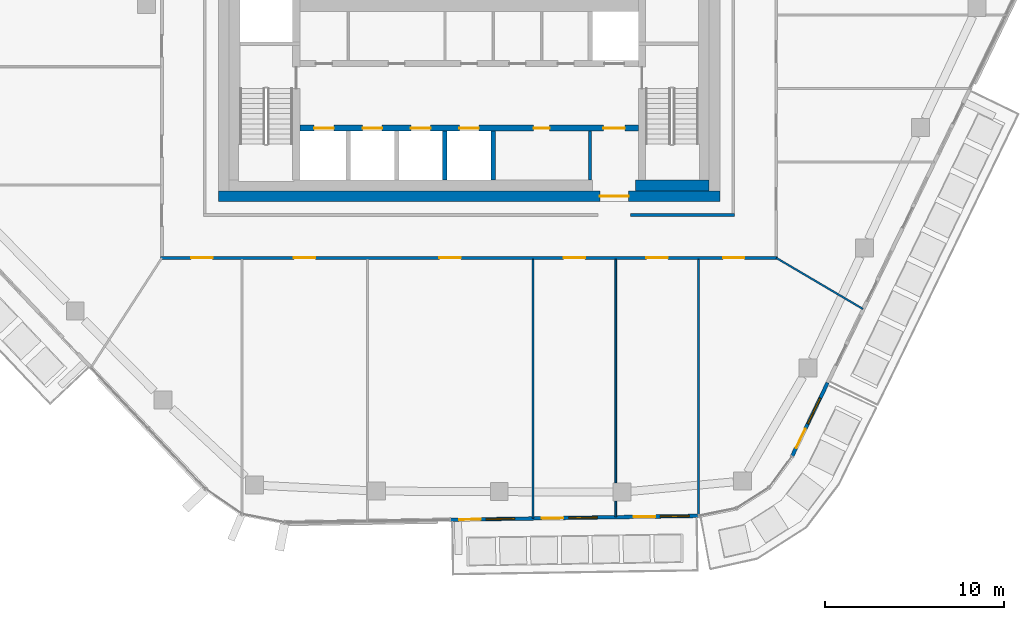
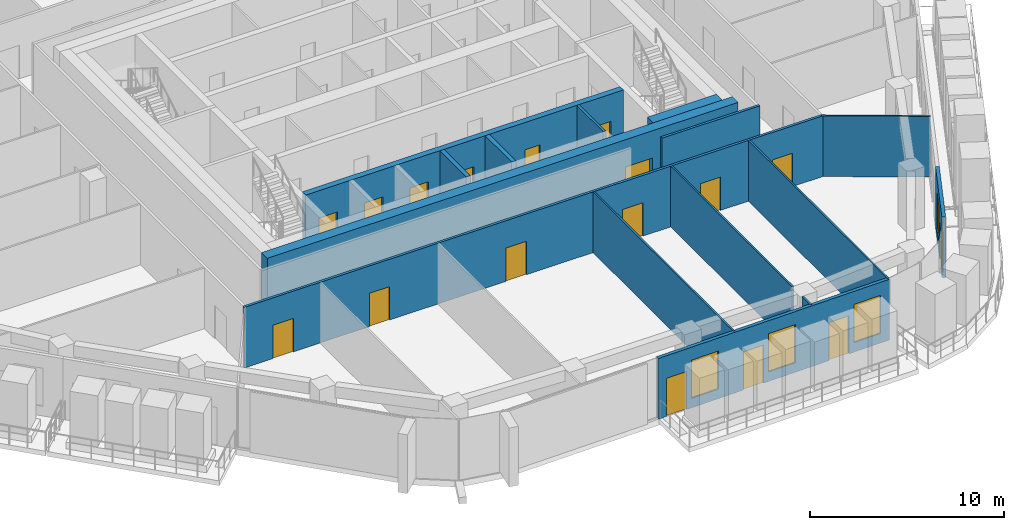
# One storey, part 13 of 24: 17 doors, 15 walls, 4 windows, 21 openings.
"""IFC4 building model written with IfcOpenShell, lengths in metres."""

from ifc_helpers import new_model, si_unit, direction, frame, frame_2d, origin, place, context, subcontext, project, spatial, rectangle, extrude, material, layer, layer_set, type_object, element, fill, save


model = new_model("IFC4")

# Units and contexts
model_context = context("Model", 3, precision=1e-05, world=origin(), true_north=direction((0.0, 1.0)))
body_context = subcontext(model_context, "Body", "Model", "MODEL_VIEW")
ifc_project = project(units=[si_unit("LENGTHUNIT", "METRE"), si_unit("AREAUNIT", "SQUARE_METRE"), si_unit("VOLUMEUNIT", "CUBIC_METRE"), si_unit("PLANEANGLEUNIT", "RADIAN"), si_unit("MASSUNIT", "GRAM", prefix="KILO")], contexts=[model_context])

# Site, building, storey
site_placement = place(None, origin())
site = spatial("IfcSite", under=ifc_project, at=site_placement, CompositionType="ELEMENT")
building_placement = place(site_placement, origin())
building = spatial("IfcBuilding", under=site, at=building_placement, Name="Dongbaek Canopy Tower", CompositionType="ELEMENT")
storey_placement = place(building_placement, frame((0.0, 0.0, 302.60009765625)))
storey = spatial("IfcBuildingStorey", under=building, at=storey_placement, Name="L64", CompositionType="ELEMENT", Elevation=302.60009765625)

# Wall, openings, doors
ifc_material_1 = material(Name="Concrete C60/75", Category="concrete")
ifc_layer_1 = layer(ifc_material_1, 0.35009765625)
ifc_layer_set_1 = layer_set([ifc_layer_1], Name="Core lobby wall 350 Concrete C60/75")
wall_type_1 = type_object("IfcWallType", Name="Core lobby wall 350 Concrete C60/75", PredefinedType="SHEAR", material=ifc_layer_set_1)
wall_1_placement = place(storey_placement, frame((9.449951171875, -6.89990234375, 0.0), z_axis=(0.0, 0.0, 1.0), x_axis=(-1.0, 0.0, 0.0)))
wall_1 = element("IfcWall", 1, at=wall_1_placement, inside=storey, type_object=wall_type_1, Name="Core wall", PredefinedType="SHEAR", context=body_context, shape_type="SweptSolid", body=[
    extrude(rectangle(XDim=18.89990234375, YDim=0.35009765625, at=frame_2d((9.449951171875, 0.0))), origin(), (0.0, 0.0, 1.0), 3.81982421875),
])
opening_1_placement = place(wall_1_placement, frame((17.0, 0.0, 0.0)))
opening_1 = element("IfcOpeningElement", 2, at=opening_1_placement, cuts=wall_1, Name="Opening L64-D035", PredefinedType="OPENING", context=body_context, shape_type="SweptSolid", body=[
    extrude(rectangle(XDim=1.10009765625, YDim=2.10009765625, at=frame_2d((0.550048828125, 1.050048828125))), frame((0.0, 0.18505859375, 0.0), z_axis=(0.0, -1.0, 0.0), x_axis=(1.0, 0.0, 0.0)), (0.0, 0.0, 1.0), 0.3701171875),
])
opening_2_placement = place(wall_1_placement, frame((14.300048828125, 0.0, 0.0)))
opening_2 = element("IfcOpeningElement", 3, at=opening_2_placement, cuts=wall_1, Name="Opening L64-D036", PredefinedType="OPENING", context=body_context, shape_type="SweptSolid", body=[
    extrude(rectangle(XDim=1.10009765625, YDim=2.10009765625, at=frame_2d((0.550048828125, 1.050048828125))), frame((0.0, 0.18505859375, 0.0), z_axis=(0.0, -1.0, 0.0), x_axis=(1.0, 0.0, 0.0)), (0.0, 0.0, 1.0), 0.3701171875),
])
opening_3_placement = place(wall_1_placement, frame((11.60009765625, 0.0, 0.0)))
opening_3 = element("IfcOpeningElement", 4, at=opening_3_placement, cuts=wall_1, Name="Opening L64-D037", PredefinedType="OPENING", context=body_context, shape_type="SweptSolid", body=[
    extrude(rectangle(XDim=1.10009765625, YDim=2.10009765625, at=frame_2d((0.550048828125, 1.050048828125))), frame((0.0, 0.18505859375, 0.0), z_axis=(0.0, -1.0, 0.0), x_axis=(1.0, 0.0, 0.0)), (0.0, 0.0, 1.0), 0.3701171875),
])
opening_4_placement = place(wall_1_placement, frame((8.89990234375, 0.0, 0.0)))
opening_4 = element("IfcOpeningElement", 5, at=opening_4_placement, cuts=wall_1, Name="Opening L64-D038", PredefinedType="OPENING", context=body_context, shape_type="SweptSolid", body=[
    extrude(rectangle(XDim=1.10009765625, YDim=2.10009765625, at=frame_2d((0.550048828125, 1.050048828125))), frame((0.0, 0.18505859375, 0.0), z_axis=(0.0, -1.0, 0.0), x_axis=(1.0, 0.0, 0.0)), (0.0, 0.0, 1.0), 0.3701171875),
])
opening_5_placement = place(wall_1_placement, frame((0.75, 0.0, 0.0)))
opening_5 = element("IfcOpeningElement", 6, at=opening_5_placement, cuts=wall_1, Name="Opening L64-D040", PredefinedType="OPENING", context=body_context, shape_type="SweptSolid", body=[
    extrude(rectangle(XDim=1.199951171875, YDim=2.10009765625, at=frame_2d((0.60009765625, 1.050048828125))), frame((0.0, 0.18505859375, 0.0), z_axis=(0.0, -1.0, 0.0), x_axis=(1.0, 0.0, 0.0)), (0.0, 0.0, 1.0), 0.3701171875),
])
opening_6_placement = place(wall_1_placement, frame((4.949951171875, 0.0, 0.0)))
opening_6 = element("IfcOpeningElement", 7, at=opening_6_placement, cuts=wall_1, Name="Opening L64-D051", PredefinedType="OPENING", context=body_context, shape_type="SweptSolid", body=[
    extrude(rectangle(XDim=0.89990234375, YDim=2.10009765625, at=frame_2d((0.449951171875, 1.050048828125))), frame((0.0, 0.18505859375, 0.0), z_axis=(0.0, -1.0, 0.0), x_axis=(1.0, 0.0, 0.0)), (0.0, 0.0, 1.0), 0.3701171875),
])
ifc_material_2 = material(Name="Steel", Category="steel")
door_type_1 = type_object("IfcDoorType", Name="Core room door 900 x 2100", OperationType="SINGLE_SWING_LEFT", PredefinedType="DOOR", material=ifc_material_2)
door_1_placement = place(opening_6_placement, origin())
door_1 = element("IfcDoor", 8, at=door_1_placement, inside=storey, type_object=door_type_1, Name="Door L64-D051", OperationType="SINGLE_SWING_RIGHT", OverallHeight=2.10009765625, OverallWidth=0.89990234375, PredefinedType="DOOR", context=body_context, shape_type="SweptSolid", body=[
    extrude(rectangle(XDim=0.89990234375, YDim=2.10009765625, at=frame_2d((0.449951171875, 1.050048828125))), frame((0.0, 0.02490234375, 0.0), z_axis=(0.0, -1.0, 0.0), x_axis=(1.0, 0.0, 0.0)), (0.0, 0.0, 1.0), 0.050048828125),
])
fill(opening_6, door_1)
ifc_material_3 = material(Name="Steel", Category="steel")
door_type_2 = type_object("IfcDoorType", Name="Fire lobby door 1200 x 2100", OperationType="SINGLE_SWING_LEFT", PredefinedType="DOOR", material=ifc_material_3)
door_2_placement = place(opening_5_placement, origin())
door_2 = element("IfcDoor", 9, at=door_2_placement, inside=storey, type_object=door_type_2, Name="Door L64-D040", OperationType="SINGLE_SWING_LEFT", OverallHeight=2.10009765625, OverallWidth=1.199951171875, PredefinedType="DOOR", context=body_context, shape_type="SweptSolid", body=[
    extrude(rectangle(XDim=1.199951171875, YDim=2.10009765625, at=frame_2d((0.60009765625, 1.050048828125))), frame((0.0, 0.02490234375, 0.0), z_axis=(0.0, -1.0, 0.0), x_axis=(1.0, 0.0, 0.0)), (0.0, 0.0, 1.0), 0.050048828125),
])
fill(opening_5, door_2)
ifc_material_4 = material(Name="Stainless steel", Category="steel")
door_type_3 = type_object("IfcDoorType", Name="Lift landing door 1100 x 2100", OperationType="DOUBLE_DOOR_SLIDING", PredefinedType="DOOR", material=ifc_material_4)
door_3_placement = place(opening_1_placement, origin())
door_3 = element("IfcDoor", 10, at=door_3_placement, inside=storey, type_object=door_type_3, Name="Landing door HR1", OperationType="DOUBLE_DOOR_SLIDING", OverallHeight=2.10009765625, OverallWidth=1.10009765625, PredefinedType="DOOR", context=body_context, shape_type="SweptSolid", body=[
    extrude(rectangle(XDim=1.10009765625, YDim=2.10009765625, at=frame_2d((0.550048828125, 1.050048828125))), frame((0.0, 0.02490234375, 0.0), z_axis=(0.0, -1.0, 0.0), x_axis=(1.0, 0.0, 0.0)), (0.0, 0.0, 1.0), 0.050048828125),
])
fill(opening_1, door_3)
door_4_placement = place(opening_2_placement, origin())
door_4 = element("IfcDoor", 11, at=door_4_placement, inside=storey, type_object=door_type_3, Name="Landing door HR2", OperationType="DOUBLE_DOOR_SLIDING", OverallHeight=2.10009765625, OverallWidth=1.10009765625, PredefinedType="DOOR", context=body_context, shape_type="SweptSolid", body=[
    extrude(rectangle(XDim=1.10009765625, YDim=2.10009765625, at=frame_2d((0.550048828125, 1.050048828125))), frame((0.0, 0.02490234375, 0.0), z_axis=(0.0, -1.0, 0.0), x_axis=(1.0, 0.0, 0.0)), (0.0, 0.0, 1.0), 0.050048828125),
])
fill(opening_2, door_4)
door_5_placement = place(opening_3_placement, origin())
door_5 = element("IfcDoor", 12, at=door_5_placement, inside=storey, type_object=door_type_3, Name="Landing door HR3", OperationType="DOUBLE_DOOR_SLIDING", OverallHeight=2.10009765625, OverallWidth=1.10009765625, PredefinedType="DOOR", context=body_context, shape_type="SweptSolid", body=[
    extrude(rectangle(XDim=1.10009765625, YDim=2.10009765625, at=frame_2d((0.550048828125, 1.050048828125))), frame((0.0, 0.02490234375, 0.0), z_axis=(0.0, -1.0, 0.0), x_axis=(1.0, 0.0, 0.0)), (0.0, 0.0, 1.0), 0.050048828125),
])
fill(opening_3, door_5)
door_6_placement = place(opening_4_placement, origin())
door_6 = element("IfcDoor", 13, at=door_6_placement, inside=storey, type_object=door_type_3, Name="Landing door HR4", OperationType="DOUBLE_DOOR_SLIDING", OverallHeight=2.10009765625, OverallWidth=1.10009765625, PredefinedType="DOOR", context=body_context, shape_type="SweptSolid", body=[
    extrude(rectangle(XDim=1.10009765625, YDim=2.10009765625, at=frame_2d((0.550048828125, 1.050048828125))), frame((0.0, 0.02490234375, 0.0), z_axis=(0.0, -1.0, 0.0), x_axis=(1.0, 0.0, 0.0)), (0.0, 0.0, 1.0), 0.050048828125),
])
fill(opening_4, door_6)

# Wall, opening, door
ifc_material_5 = material(Name="Concrete C80/95", Category="concrete")
ifc_layer_2 = layer(ifc_material_5, 0.60009765625)
ifc_layer_set_2 = layer_set([ifc_layer_2], Name="Core outer wall 600 Concrete C80/95")
wall_type_2 = type_object("IfcWallType", Name="Core outer wall 600 Concrete C80/95", PredefinedType="SHEAR", material=ifc_layer_set_2)
wall_2_placement = place(storey_placement, frame((14.0, -10.699951171875, 0.0), z_axis=(0.0, 0.0, 1.0), x_axis=(-1.0, 0.0, 0.0)))
wall_2 = element("IfcWall", 14, at=wall_2_placement, inside=storey, type_object=wall_type_2, Name="Core wall", PredefinedType="SHEAR", context=body_context, shape_type="SweptSolid", body=[
    extrude(rectangle(XDim=28.0, YDim=0.60009765625, at=frame_2d((14.0, 0.0))), origin(), (0.0, 0.0, 1.0), 3.81982421875),
])
opening_7_placement = place(wall_2_placement, frame((5.10009765625, 0.0, 0.0)))
opening_7 = element("IfcOpeningElement", 15, at=opening_7_placement, cuts=wall_2, Name="Opening L64-D039", PredefinedType="OPENING", context=body_context, shape_type="SweptSolid", body=[
    extrude(rectangle(XDim=1.60009765625, YDim=2.10009765625, at=frame_2d((0.800048828125, 1.050048828125))), frame((0.0, 0.31005859375, 0.0), z_axis=(0.0, -1.0, 0.0), x_axis=(1.0, 0.0, 0.0)), (0.0, 0.0, 1.0), 0.6201171875),
])
ifc_material_6 = material(Name="Steel", Category="steel")
door_type_4 = type_object("IfcDoorType", Name="Core exit door 1600 x 2100", OperationType="DOUBLE_DOOR_SINGLE_SWING", PredefinedType="DOOR", material=ifc_material_6)
door_7_placement = place(opening_7_placement, origin())
door_7 = element("IfcDoor", 16, at=door_7_placement, inside=storey, type_object=door_type_4, Name="Core exit door", OperationType="DOUBLE_DOOR_SINGLE_SWING", OverallHeight=2.10009765625, OverallWidth=1.60009765625, PredefinedType="DOOR", context=body_context, shape_type="SweptSolid", body=[
    extrude(rectangle(XDim=1.60009765625, YDim=2.10009765625, at=frame_2d((0.800048828125, 1.050048828125))), frame((0.0, 0.02490234375, 0.0), z_axis=(0.0, -1.0, 0.0), x_axis=(1.0, 0.0, 0.0)), (0.0, 0.0, 1.0), 0.050048828125),
])
fill(opening_7, door_7)

# Wall
ifc_material_7 = material(Name="Concrete C60/75", Category="concrete")
ifc_layer_3 = layer(ifc_material_7, 0.60009765625)
ifc_layer_set_3 = layer_set([ifc_layer_3], Name="Core wall lining 600 Concrete C60/75")
wall_type_3 = type_object("IfcWallType", Name="Core wall lining 600 Concrete C60/75", PredefinedType="SHEAR", material=ifc_layer_set_3)
wall_3_placement = place(storey_placement, frame((13.39990234375, -10.10009765625, 0.0), z_axis=(0.0, 0.0, 1.0), x_axis=(-1.0, 0.0, 0.0)))
element("IfcWall", 17, at=wall_3_placement, inside=storey, type_object=wall_type_3, Name="Core wall lining", PredefinedType="SHEAR", context=body_context, shape_type="SweptSolid", body=[
    extrude(rectangle(XDim=4.099853515625, YDim=0.60009765625, at=frame_2d((2.0498046875, 0.0))), origin(), (0.0, 0.0, 1.0), 3.81982421875),
])

# Wall, openings, doors
ifc_material_8 = material(Name="Gypsum board partition, steel stud, 2 x 15 mm fire board", Category="steel")
ifc_layer_4 = layer(ifc_material_8, 0.14990234375)
ifc_layer_set_4 = layer_set([ifc_layer_4], Name="Fire-rated partition 150 gypsum board")
wall_type_4 = type_object("IfcWallType", Name="Fire-rated partition 150 gypsum board", PredefinedType="PARTITIONING", material=ifc_layer_set_4)
wall_4_placement = place(storey_placement, frame((17.22509765625, -14.14990234375, 0.0), z_axis=(0.0, 0.0, 1.0), x_axis=(-1.0, 0.0, 0.0)))
wall_4 = element("IfcWall", 18, at=wall_4_placement, inside=storey, type_object=wall_type_4, Name="Corridor partition", PredefinedType="PARTITIONING", context=body_context, shape_type="SweptSolid", body=[
    extrude(rectangle(XDim=34.4501953125, YDim=0.14990234375, at=frame_2d((17.22509765625, 0.0))), origin(), (0.0, 0.0, 1.0), 3.81982421875),
])
opening_8_placement = place(wall_4_placement, frame((31.540283203125, 0.0, 0.0)))
opening_8 = element("IfcOpeningElement", 19, at=opening_8_placement, cuts=wall_4, Name="Opening L64-D004", PredefinedType="OPENING", context=body_context, shape_type="SweptSolid", body=[
    extrude(rectangle(XDim=1.199951171875, YDim=2.10009765625, at=frame_2d((0.60009765625, 1.050048828125))), frame((0.0, 0.0849609375, 0.0), z_axis=(0.0, -1.0, 0.0), x_axis=(1.0, 0.0, 0.0)), (0.0, 0.0, 1.0), 0.169921875),
])
opening_9_placement = place(wall_4_placement, frame((25.8037109375, 0.0, 0.0)))
opening_9 = element("IfcOpeningElement", 20, at=opening_9_placement, cuts=wall_4, Name="Opening L64-D005", PredefinedType="OPENING", context=body_context, shape_type="SweptSolid", body=[
    extrude(rectangle(XDim=1.199951171875, YDim=2.10009765625, at=frame_2d((0.60009765625, 1.050048828125))), frame((0.0, 0.0849609375, 0.0), z_axis=(0.0, -1.0, 0.0), x_axis=(1.0, 0.0, 0.0)), (0.0, 0.0, 1.0), 0.169921875),
])
opening_10_placement = place(wall_4_placement, frame((17.681396484375, 0.0, 0.0)))
opening_10 = element("IfcOpeningElement", 21, at=opening_10_placement, cuts=wall_4, Name="Opening L64-D006", PredefinedType="OPENING", context=body_context, shape_type="SweptSolid", body=[
    extrude(rectangle(XDim=1.199951171875, YDim=2.10009765625, at=frame_2d((0.60009765625, 1.050048828125))), frame((0.0, 0.0849609375, 0.0), z_axis=(0.0, -1.0, 0.0), x_axis=(1.0, 0.0, 0.0)), (0.0, 0.0, 1.0), 0.169921875),
])
opening_11_placement = place(wall_4_placement, frame((10.751708984375, 0.0, 0.0)))
opening_11 = element("IfcOpeningElement", 22, at=opening_11_placement, cuts=wall_4, Name="Opening L64-D007", PredefinedType="OPENING", context=body_context, shape_type="SweptSolid", body=[
    extrude(rectangle(XDim=1.199951171875, YDim=2.10009765625, at=frame_2d((0.60009765625, 1.050048828125))), frame((0.0, 0.0849609375, 0.0), z_axis=(0.0, -1.0, 0.0), x_axis=(1.0, 0.0, 0.0)), (0.0, 0.0, 1.0), 0.169921875),
])
opening_12_placement = place(wall_4_placement, frame((6.1328125, 0.0, 0.0)))
opening_12 = element("IfcOpeningElement", 23, at=opening_12_placement, cuts=wall_4, Name="Opening L64-D008", PredefinedType="OPENING", context=body_context, shape_type="SweptSolid", body=[
    extrude(rectangle(XDim=1.199951171875, YDim=2.10009765625, at=frame_2d((0.60009765625, 1.050048828125))), frame((0.0, 0.0849609375, 0.0), z_axis=(0.0, -1.0, 0.0), x_axis=(1.0, 0.0, 0.0)), (0.0, 0.0, 1.0), 0.169921875),
])
opening_13_placement = place(wall_4_placement, frame((1.85107421875, 0.0, 0.0)))
opening_13 = element("IfcOpeningElement", 24, at=opening_13_placement, cuts=wall_4, Name="Opening L64-D009", PredefinedType="OPENING", context=body_context, shape_type="SweptSolid", body=[
    extrude(rectangle(XDim=1.199951171875, YDim=2.10009765625, at=frame_2d((0.60009765625, 1.050048828125))), frame((0.0, 0.0849609375, 0.0), z_axis=(0.0, -1.0, 0.0), x_axis=(1.0, 0.0, 0.0)), (0.0, 0.0, 1.0), 0.169921875),
])
ifc_material_9 = material(Name="Timber veneered door leaf", Category="wood")
door_type_5 = type_object("IfcDoorType", Name="Room door 1200 x 2100", OperationType="SINGLE_SWING_LEFT", PredefinedType="DOOR", material=ifc_material_9)
door_8_placement = place(opening_8_placement, origin())
door_8 = element("IfcDoor", 25, at=door_8_placement, inside=storey, type_object=door_type_5, Name="Door L64-D004", OperationType="SINGLE_SWING_LEFT", OverallHeight=2.10009765625, OverallWidth=1.199951171875, PredefinedType="DOOR", context=body_context, shape_type="SweptSolid", body=[
    extrude(rectangle(XDim=1.199951171875, YDim=2.10009765625, at=frame_2d((0.60009765625, 1.050048828125))), frame((0.0, 0.02490234375, 0.0), z_axis=(0.0, -1.0, 0.0), x_axis=(1.0, 0.0, 0.0)), (0.0, 0.0, 1.0), 0.050048828125),
])
fill(opening_8, door_8)
door_9_placement = place(opening_9_placement, origin())
door_9 = element("IfcDoor", 26, at=door_9_placement, inside=storey, type_object=door_type_5, Name="Door L64-D005", OperationType="SINGLE_SWING_RIGHT", OverallHeight=2.10009765625, OverallWidth=1.199951171875, PredefinedType="DOOR", context=body_context, shape_type="SweptSolid", body=[
    extrude(rectangle(XDim=1.199951171875, YDim=2.10009765625, at=frame_2d((0.60009765625, 1.050048828125))), frame((0.0, 0.02490234375, 0.0), z_axis=(0.0, -1.0, 0.0), x_axis=(1.0, 0.0, 0.0)), (0.0, 0.0, 1.0), 0.050048828125),
])
fill(opening_9, door_9)
door_10_placement = place(opening_10_placement, origin())
door_10 = element("IfcDoor", 27, at=door_10_placement, inside=storey, type_object=door_type_5, Name="Door L64-D006", OperationType="SINGLE_SWING_LEFT", OverallHeight=2.10009765625, OverallWidth=1.199951171875, PredefinedType="DOOR", context=body_context, shape_type="SweptSolid", body=[
    extrude(rectangle(XDim=1.199951171875, YDim=2.10009765625, at=frame_2d((0.60009765625, 1.050048828125))), frame((0.0, 0.02490234375, 0.0), z_axis=(0.0, -1.0, 0.0), x_axis=(1.0, 0.0, 0.0)), (0.0, 0.0, 1.0), 0.050048828125),
])
fill(opening_10, door_10)
door_11_placement = place(opening_11_placement, origin())
door_11 = element("IfcDoor", 28, at=door_11_placement, inside=storey, type_object=door_type_5, Name="Door L64-D007", OperationType="SINGLE_SWING_RIGHT", OverallHeight=2.10009765625, OverallWidth=1.199951171875, PredefinedType="DOOR", context=body_context, shape_type="SweptSolid", body=[
    extrude(rectangle(XDim=1.199951171875, YDim=2.10009765625, at=frame_2d((0.60009765625, 1.050048828125))), frame((0.0, 0.02490234375, 0.0), z_axis=(0.0, -1.0, 0.0), x_axis=(1.0, 0.0, 0.0)), (0.0, 0.0, 1.0), 0.050048828125),
])
fill(opening_11, door_11)
door_12_placement = place(opening_12_placement, origin())
door_12 = element("IfcDoor", 29, at=door_12_placement, inside=storey, type_object=door_type_5, Name="Door L64-D008", OperationType="SINGLE_SWING_LEFT", OverallHeight=2.10009765625, OverallWidth=1.199951171875, PredefinedType="DOOR", context=body_context, shape_type="SweptSolid", body=[
    extrude(rectangle(XDim=1.199951171875, YDim=2.10009765625, at=frame_2d((0.60009765625, 1.050048828125))), frame((0.0, 0.02490234375, 0.0), z_axis=(0.0, -1.0, 0.0), x_axis=(1.0, 0.0, 0.0)), (0.0, 0.0, 1.0), 0.050048828125),
])
fill(opening_12, door_12)
door_13_placement = place(opening_13_placement, origin())
door_13 = element("IfcDoor", 30, at=door_13_placement, inside=storey, type_object=door_type_5, Name="Door L64-D009", OperationType="SINGLE_SWING_RIGHT", OverallHeight=2.10009765625, OverallWidth=1.199951171875, PredefinedType="DOOR", context=body_context, shape_type="SweptSolid", body=[
    extrude(rectangle(XDim=1.199951171875, YDim=2.10009765625, at=frame_2d((0.60009765625, 1.050048828125))), frame((0.0, 0.02490234375, 0.0), z_axis=(0.0, -1.0, 0.0), x_axis=(1.0, 0.0, 0.0)), (0.0, 0.0, 1.0), 0.050048828125),
])
fill(opening_13, door_13)

# Walls
wall_5_placement = place(storey_placement, frame((9.0, -11.75, 0.0), z_axis=(0.0, 0.0, 1.0), x_axis=(1.0, 0.0, 0.0)))
element("IfcWall", 31, at=wall_5_placement, inside=storey, type_object=wall_type_4, Name="Corridor partition", PredefinedType="PARTITIONING", context=body_context, shape_type="SweptSolid", body=[
    extrude(rectangle(XDim=5.824951171875, YDim=0.14990234375, at=frame_2d((2.91259765625, 0.0))), origin(), (0.0, 0.0, 1.0), 3.81982421875),
])
wall_6_placement = place(storey_placement, frame((6.75, -9.800048828125, 0.0), z_axis=(0.0, 0.0, 1.0), x_axis=(0.0, 1.0, 0.0)))
element("IfcWall", 32, at=wall_6_placement, inside=storey, type_object=wall_type_4, Name="Fire lobby partition", PredefinedType="PARTITIONING", context=body_context, shape_type="SweptSolid", body=[
    extrude(rectangle(XDim=2.72509765625, YDim=0.14990234375, at=frame_2d((1.362548828125, 0.0))), origin(), (0.0, 0.0, 1.0), 3.81982421875),
])
ifc_material_10 = material(Name="Concrete C40/50", Category="concrete")
ifc_layer_5 = layer(ifc_material_10, 0.25)
ifc_layer_set_5 = layer_set([ifc_layer_5], Name="Lift shaft wall 250 Concrete C40/50")
wall_type_5 = type_object("IfcWallType", Name="Lift shaft wall 250 Concrete C40/50", PredefinedType="SOLIDWALL", material=ifc_layer_set_5)
for number, where, z_axis, x_axis, name in (
    (33, (1.35009765625, -9.800048828125, 0.0), (0.0, 0.0, 1.0), (0.0, 1.0, 0.0), "Lift shaft wall"),
    (34, (-1.35009765625, -9.800048828125, 0.0), (0.0, 0.0, 1.0), (0.0, 1.0, 0.0), "Lift shaft wall"),
):
    element("IfcWall", number, at=place(storey_placement, frame(where, z_axis=z_axis, x_axis=x_axis)), inside=storey, type_object=wall_type_5, Name=name, PredefinedType="SOLIDWALL", context=body_context, shape_type="SweptSolid", body=[
        extrude(rectangle(XDim=2.72509765625, YDim=0.25, at=frame_2d((1.362548828125, 0.0))), origin(), (0.0, 0.0, 1.0), 3.81982421875),
    ])
ifc_material_11 = material(Name="Gypsum board partition, steel stud, 2 x 12.5 mm board", Category="steel")
ifc_layer_6 = layer(ifc_material_11, 0.10009765625)
ifc_layer_set_6 = layer_set([ifc_layer_6], Name="Partition 100 gypsum board")
wall_type_6 = type_object("IfcWallType", Name="Partition 100 gypsum board", PredefinedType="PARTITIONING", material=ifc_layer_set_6)
wall_7_placement = place(storey_placement, frame((12.802001953125, -28.529541015625, 0.0), z_axis=(0.0, 0.0, 1.0), x_axis=(0.0, 1.0, 0.0)))
element("IfcWall", 35, at=wall_7_placement, inside=storey, type_object=wall_type_6, Name="Partition", PredefinedType="PARTITIONING", context=body_context, shape_type="SweptSolid", body=[
    extrude(rectangle(XDim=14.304443359375, YDim=0.10009765625, at=frame_2d((7.15234375, 0.0))), origin(), (0.0, 0.0, 1.0), 3.81982421875),
])
wall_8_placement = place(storey_placement, frame((8.18310546875, -28.602294921875, 0.0), z_axis=(0.0, 0.0, 1.0), x_axis=(0.0, 1.0, 0.0)))
element("IfcWall", 36, at=wall_8_placement, inside=storey, type_object=wall_type_6, Name="Partition", PredefinedType="PARTITIONING", context=body_context, shape_type="SweptSolid", body=[
    extrude(rectangle(XDim=0.875244140625, YDim=0.10009765625, at=frame_2d((0.4375, 0.0))), origin(), (0.0, 0.0, 1.0), 3.81982421875),
])
wall_9_placement = place(storey_placement, frame((8.18310546875, -26.72705078125, 0.0), z_axis=(0.0, 0.0, 1.0), x_axis=(0.0, 1.0, 0.0)))
element("IfcWall", 37, at=wall_9_placement, inside=storey, type_object=wall_type_6, Name="Partition", PredefinedType="PARTITIONING", context=body_context, shape_type="SweptSolid", body=[
    extrude(rectangle(XDim=12.501953125, YDim=0.10009765625, at=frame_2d((6.2509765625, 0.0))), origin(), (0.0, 0.0, 1.0), 3.81982421875),
])
wall_10_placement = place(storey_placement, frame((3.56396484375, -28.6748046875, 0.0), z_axis=(0.0, 0.0, 1.0), x_axis=(0.0, 1.0, 0.0)))
element("IfcWall", 38, at=wall_10_placement, inside=storey, type_object=wall_type_6, Name="Partition", PredefinedType="PARTITIONING", context=body_context, shape_type="SweptSolid", body=[
    extrude(rectangle(XDim=14.44970703125, YDim=0.10009765625, at=frame_2d((7.224853515625, 0.0))), origin(), (0.0, 0.0, 1.0), 3.81982421875),
])
wall_11_placement = place(storey_placement, frame((17.14990234375, -14.150146484375, 0.0), z_axis=(0.0, 0.0, 1.0), x_axis=(0.861619958058, -0.507553985184, 0.0)))
element("IfcWall", 39, at=wall_11_placement, inside=storey, type_object=wall_type_6, Name="Partition", PredefinedType="PARTITIONING", context=body_context, shape_type="SweptSolid", body=[
    extrude(rectangle(XDim=5.614990234375, YDim=0.10009765625, at=frame_2d((2.8076171875, 0.0))), origin(), (0.0, 0.0, 1.0), 3.81982421875),
])

# Wall, openings, doors, windows
ifc_material_12 = material(Name="Aluminium window wall", Category="aluminium")
ifc_layer_7 = layer(ifc_material_12, 0.199951171875)
ifc_layer_set_7 = layer_set([ifc_layer_7], Name="Window wall 200")
wall_type_7 = type_object("IfcWallType", Name="Window wall 200", PredefinedType="SOLIDWALL", material=ifc_layer_set_7)
wall_12_placement = place(storey_placement, frame((-1.054931640625, -28.767333984375, 0.0), z_axis=(0.0, 0.0, 1.0), x_axis=(0.999877073258, 0.015679233829, 0.0)))
wall_12 = element("IfcWall", 40, at=wall_12_placement, inside=storey, type_object=wall_type_7, Name="Window wall L64 4", PredefinedType="SOLIDWALL", context=body_context, shape_type="SweptSolid", body=[
    extrude(rectangle(XDim=13.858154296875, YDim=0.199951171875, at=frame_2d((6.92919921875, 0.0))), origin(), (0.0, 0.0, 1.0), 3.81982421875),
])
opening_14_placement = place(wall_12_placement, frame((2.0, 0.0, 0.60009765625)))
opening_14 = element("IfcOpeningElement", 41, at=opening_14_placement, cuts=wall_12, Name="Opening W1", PredefinedType="OPENING", context=body_context, shape_type="SweptSolid", body=[
    extrude(rectangle(XDim=1.60009765625, YDim=2.39990234375, at=frame_2d((0.800048828125, 1.199951171875))), frame((0.0, 0.10986328125, 0.0), z_axis=(0.0, -1.0, 0.0), x_axis=(1.0, 0.0, 0.0)), (0.0, 0.0, 1.0), 0.219970703125),
])
opening_15_placement = place(wall_12_placement, frame((0.5, 0.0, 0.0)))
opening_15 = element("IfcOpeningElement", 42, at=opening_15_placement, cuts=wall_12, Name="Opening L64-B10", PredefinedType="OPENING", context=body_context, shape_type="SweptSolid", body=[
    extrude(rectangle(XDim=1.199951171875, YDim=2.39990234375, at=frame_2d((0.60009765625, 1.199951171875))), frame((0.0, 0.10986328125, 0.0), z_axis=(0.0, -1.0, 0.0), x_axis=(1.0, 0.0, 0.0)), (0.0, 0.0, 1.0), 0.219970703125),
])
opening_16_placement = place(wall_12_placement, frame((6.619384765625, 0.0, 0.60009765625)))
opening_16 = element("IfcOpeningElement", 43, at=opening_16_placement, cuts=wall_12, Name="Opening W1", PredefinedType="OPENING", context=body_context, shape_type="SweptSolid", body=[
    extrude(rectangle(XDim=1.60009765625, YDim=2.39990234375, at=frame_2d((0.800048828125, 1.199951171875))), frame((0.0, 0.10986328125, 0.0), z_axis=(0.0, -1.0, 0.0), x_axis=(1.0, 0.0, 0.0)), (0.0, 0.0, 1.0), 0.219970703125),
])
opening_17_placement = place(wall_12_placement, frame((5.119384765625, 0.0, 0.0)))
opening_17 = element("IfcOpeningElement", 44, at=opening_17_placement, cuts=wall_12, Name="Opening L64-B11", PredefinedType="OPENING", context=body_context, shape_type="SweptSolid", body=[
    extrude(rectangle(XDim=1.199951171875, YDim=2.39990234375, at=frame_2d((0.60009765625, 1.199951171875))), frame((0.0, 0.10986328125, 0.0), z_axis=(0.0, -1.0, 0.0), x_axis=(1.0, 0.0, 0.0)), (0.0, 0.0, 1.0), 0.219970703125),
])
opening_18_placement = place(wall_12_placement, frame((11.73876953125, 0.0, 0.60009765625)))
opening_18 = element("IfcOpeningElement", 45, at=opening_18_placement, cuts=wall_12, Name="Opening W1", PredefinedType="OPENING", context=body_context, shape_type="SweptSolid", body=[
    extrude(rectangle(XDim=1.60009765625, YDim=2.39990234375, at=frame_2d((0.800048828125, 1.199951171875))), frame((0.0, 0.10986328125, 0.0), z_axis=(0.0, -1.0, 0.0), x_axis=(1.0, 0.0, 0.0)), (0.0, 0.0, 1.0), 0.219970703125),
])
opening_19_placement = place(wall_12_placement, frame((10.23876953125, 0.0, 0.0)))
opening_19 = element("IfcOpeningElement", 46, at=opening_19_placement, cuts=wall_12, Name="Opening L64-B12", PredefinedType="OPENING", context=body_context, shape_type="SweptSolid", body=[
    extrude(rectangle(XDim=1.199951171875, YDim=2.39990234375, at=frame_2d((0.60009765625, 1.199951171875))), frame((0.0, 0.10986328125, 0.0), z_axis=(0.0, -1.0, 0.0), x_axis=(1.0, 0.0, 0.0)), (0.0, 0.0, 1.0), 0.219970703125),
])
ifc_material_13 = material(Name="Clear glazing in aluminium frame", Category="aluminium")
door_type_6 = type_object("IfcDoorType", Name="Balcony door BD1 1200 x 2400", OperationType="SLIDING_TO_LEFT", PredefinedType="DOOR", material=ifc_material_13)
door_14_placement = place(opening_15_placement, origin())
door_14 = element("IfcDoor", 47, at=door_14_placement, inside=storey, type_object=door_type_6, Name="Balcony door L64-B10", OperationType="SLIDING_TO_LEFT", OverallHeight=2.39990234375, OverallWidth=1.199951171875, PredefinedType="DOOR", context=body_context, shape_type="SweptSolid", body=[
    extrude(rectangle(XDim=1.199951171875, YDim=2.39990234375, at=frame_2d((0.60009765625, 1.199951171875))), frame((0.0, 0.02490234375, 0.0), z_axis=(0.0, -1.0, 0.0), x_axis=(1.0, 0.0, 0.0)), (0.0, 0.0, 1.0), 0.050048828125),
])
fill(opening_15, door_14)
door_15_placement = place(opening_17_placement, origin())
door_15 = element("IfcDoor", 48, at=door_15_placement, inside=storey, type_object=door_type_6, Name="Balcony door L64-B11", OperationType="SLIDING_TO_LEFT", OverallHeight=2.39990234375, OverallWidth=1.199951171875, PredefinedType="DOOR", context=body_context, shape_type="SweptSolid", body=[
    extrude(rectangle(XDim=1.199951171875, YDim=2.39990234375, at=frame_2d((0.60009765625, 1.199951171875))), frame((0.0, 0.02490234375, 0.0), z_axis=(0.0, -1.0, 0.0), x_axis=(1.0, 0.0, 0.0)), (0.0, 0.0, 1.0), 0.050048828125),
])
fill(opening_17, door_15)
door_16_placement = place(opening_19_placement, origin())
door_16 = element("IfcDoor", 49, at=door_16_placement, inside=storey, type_object=door_type_6, Name="Balcony door L64-B12", OperationType="SLIDING_TO_LEFT", OverallHeight=2.39990234375, OverallWidth=1.199951171875, PredefinedType="DOOR", context=body_context, shape_type="SweptSolid", body=[
    extrude(rectangle(XDim=1.199951171875, YDim=2.39990234375, at=frame_2d((0.60009765625, 1.199951171875))), frame((0.0, 0.02490234375, 0.0), z_axis=(0.0, -1.0, 0.0), x_axis=(1.0, 0.0, 0.0)), (0.0, 0.0, 1.0), 0.050048828125),
])
fill(opening_19, door_16)
ifc_material_14 = material(Name="Clear glazing in aluminium frame", Category="aluminium")
window_type = type_object("IfcWindowType", Name="Window W1 1600 x 2400", PartitioningType="SINGLE_PANEL", PredefinedType="WINDOW", material=ifc_material_14)
window_1_placement = place(opening_14_placement, origin())
window_1 = element("IfcWindow", 50, at=window_1_placement, inside=storey, type_object=window_type, Name="Window L64 4.1", OverallHeight=2.39990234375, OverallWidth=1.60009765625, PartitioningType="SINGLE_PANEL", PredefinedType="WINDOW", context=body_context, shape_type="SweptSolid", body=[
    extrude(rectangle(XDim=1.60009765625, YDim=2.39990234375, at=frame_2d((0.800048828125, 1.199951171875))), frame((0.0, 0.030029296875, 0.0), z_axis=(0.0, -1.0, 0.0), x_axis=(1.0, 0.0, 0.0)), (0.0, 0.0, 1.0), 0.06005859375),
])
fill(opening_14, window_1)
window_2_placement = place(opening_16_placement, origin())
window_2 = element("IfcWindow", 51, at=window_2_placement, inside=storey, type_object=window_type, Name="Window L64 4.2", OverallHeight=2.39990234375, OverallWidth=1.60009765625, PartitioningType="SINGLE_PANEL", PredefinedType="WINDOW", context=body_context, shape_type="SweptSolid", body=[
    extrude(rectangle(XDim=1.60009765625, YDim=2.39990234375, at=frame_2d((0.800048828125, 1.199951171875))), frame((0.0, 0.030029296875, 0.0), z_axis=(0.0, -1.0, 0.0), x_axis=(1.0, 0.0, 0.0)), (0.0, 0.0, 1.0), 0.06005859375),
])
fill(opening_16, window_2)
window_3_placement = place(opening_18_placement, origin())
window_3 = element("IfcWindow", 52, at=window_3_placement, inside=storey, type_object=window_type, Name="Window L64 4.3", OverallHeight=2.39990234375, OverallWidth=1.60009765625, PartitioningType="SINGLE_PANEL", PredefinedType="WINDOW", context=body_context, shape_type="SweptSolid", body=[
    extrude(rectangle(XDim=1.60009765625, YDim=2.39990234375, at=frame_2d((0.800048828125, 1.199951171875))), frame((0.0, 0.030029296875, 0.0), z_axis=(0.0, -1.0, 0.0), x_axis=(1.0, 0.0, 0.0)), (0.0, 0.0, 1.0), 0.06005859375),
])
fill(opening_18, window_3)

# Wall, openings, door, window
wall_13_placement = place(storey_placement, frame((18.0322265625, -25.2138671875, 0.0), z_axis=(0.0, 0.0, 1.0), x_axis=(0.435874843819, 0.900007289151, 0.0)))
wall_13 = element("IfcWall", 53, at=wall_13_placement, inside=storey, type_object=wall_type_7, Name="Window wall L64 8", PredefinedType="SOLIDWALL", context=body_context, shape_type="SweptSolid", body=[
    extrude(rectangle(XDim=4.55322265625, YDim=0.199951171875, at=frame_2d((2.276611328125, 0.0))), origin(), (0.0, 0.0, 1.0), 3.81982421875),
])
opening_20_placement = place(wall_13_placement, frame((2.0, 0.0, 0.60009765625)))
opening_20 = element("IfcOpeningElement", 54, at=opening_20_placement, cuts=wall_13, Name="Opening W1", PredefinedType="OPENING", context=body_context, shape_type="SweptSolid", body=[
    extrude(rectangle(XDim=1.60009765625, YDim=2.39990234375, at=frame_2d((0.800048828125, 1.199951171875))), frame((0.0, 0.10986328125, 0.0), z_axis=(0.0, -1.0, 0.0), x_axis=(1.0, 0.0, 0.0)), (0.0, 0.0, 1.0), 0.219970703125),
])
opening_21_placement = place(wall_13_placement, frame((0.5, 0.0, 0.0)))
opening_21 = element("IfcOpeningElement", 55, at=opening_21_placement, cuts=wall_13, Name="Opening L64-B17", PredefinedType="OPENING", context=body_context, shape_type="SweptSolid", body=[
    extrude(rectangle(XDim=1.199951171875, YDim=2.39990234375, at=frame_2d((0.60009765625, 1.199951171875))), frame((0.0, 0.10986328125, 0.0), z_axis=(0.0, -1.0, 0.0), x_axis=(1.0, 0.0, 0.0)), (0.0, 0.0, 1.0), 0.219970703125),
])
door_17_placement = place(opening_21_placement, origin())
door_17 = element("IfcDoor", 56, at=door_17_placement, inside=storey, type_object=door_type_6, Name="Balcony door L64-B17", OperationType="SLIDING_TO_LEFT", OverallHeight=2.39990234375, OverallWidth=1.199951171875, PredefinedType="DOOR", context=body_context, shape_type="SweptSolid", body=[
    extrude(rectangle(XDim=1.199951171875, YDim=2.39990234375, at=frame_2d((0.60009765625, 1.199951171875))), frame((0.0, 0.02490234375, 0.0), z_axis=(0.0, -1.0, 0.0), x_axis=(1.0, 0.0, 0.0)), (0.0, 0.0, 1.0), 0.050048828125),
])
fill(opening_21, door_17)
window_4_placement = place(opening_20_placement, origin())
window_4 = element("IfcWindow", 57, at=window_4_placement, inside=storey, type_object=window_type, Name="Window L64 8.1", OverallHeight=2.39990234375, OverallWidth=1.60009765625, PartitioningType="SINGLE_PANEL", PredefinedType="WINDOW", context=body_context, shape_type="SweptSolid", body=[
    extrude(rectangle(XDim=1.60009765625, YDim=2.39990234375, at=frame_2d((0.800048828125, 1.199951171875))), frame((0.0, 0.030029296875, 0.0), z_axis=(0.0, -1.0, 0.0), x_axis=(1.0, 0.0, 0.0)), (0.0, 0.0, 1.0), 0.06005859375),
])
fill(opening_20, window_4)

save(model, "model.ifc")
